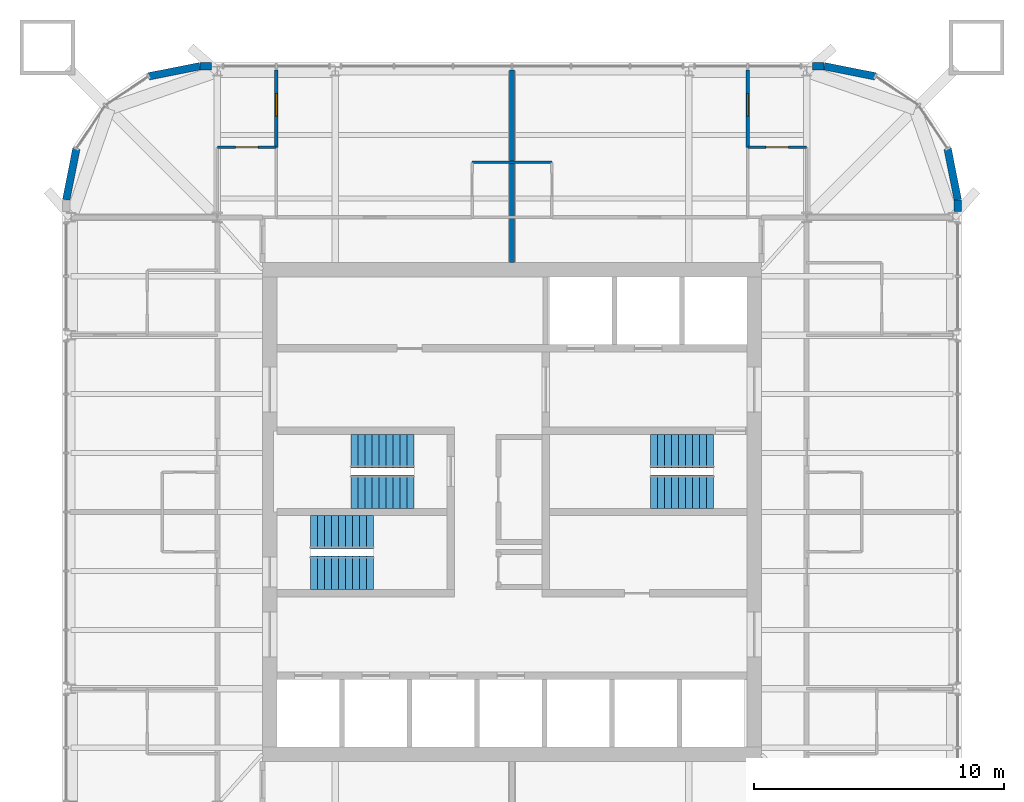
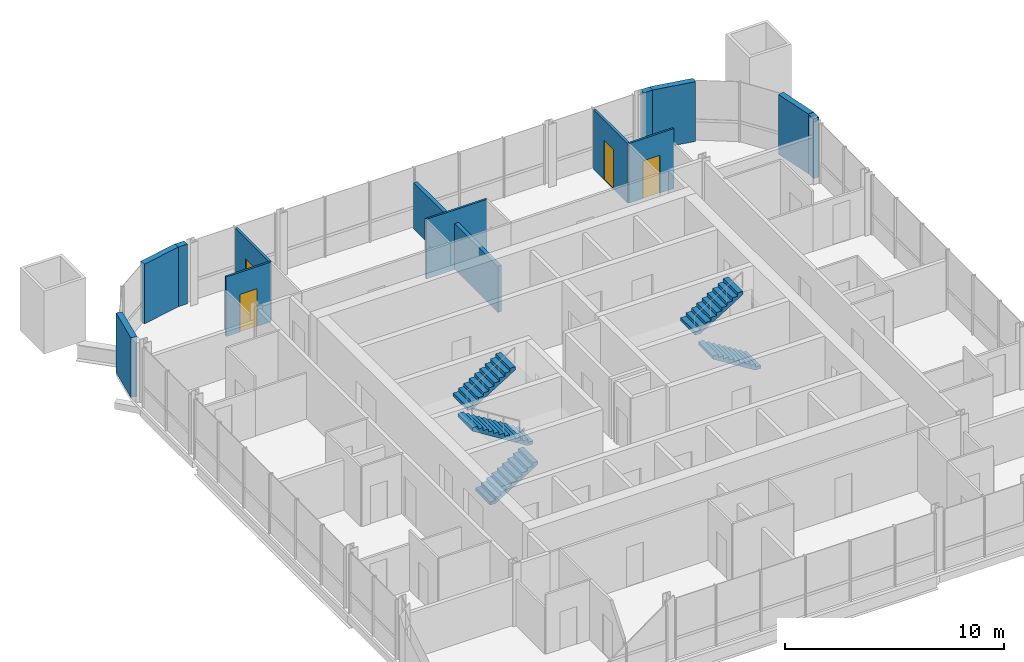
# One storey, part 11 of 12: 13 walls, 6 stair flights, 4 doors, 4 openings, 3 elements without a shape of their own.
"""IFC4 building model written with IfcOpenShell, lengths in metres."""

from ifc_helpers import new_model, si_unit, direction, frame, frame_2d, origin, place, context, subcontext, project, spatial, polyline, rectangle, outline, extrude, material, layer, layer_set, type_object, element, fill, aggregate, save


model = new_model("IFC4")

# Units and contexts
model_context = context("Model", 3, precision=1e-05, world=origin(), true_north=direction((0.0, 1.0)))
body_context = subcontext(model_context, "Body", "Model", "MODEL_VIEW")
ifc_project = project(units=[si_unit("LENGTHUNIT", "METRE"), si_unit("AREAUNIT", "SQUARE_METRE"), si_unit("VOLUMEUNIT", "CUBIC_METRE"), si_unit("PLANEANGLEUNIT", "RADIAN"), si_unit("MASSUNIT", "GRAM", prefix="KILO")], contexts=[model_context])

# Site, building, storey
site_placement = place(None, origin())
site = spatial("IfcSite", under=ifc_project, at=site_placement, CompositionType="ELEMENT")
building_placement = place(site_placement, origin())
building = spatial("IfcBuilding", under=site, at=building_placement, Name="Turquesa Mirador Hotel Tower", CompositionType="ELEMENT")
storey_placement = place(building_placement, frame((0.0, 0.0, 233.699951171875)))
storey = spatial("IfcBuildingStorey", under=building, at=storey_placement, Name="L63", CompositionType="ELEMENT", Elevation=233.699951171875)

# Wall
ifc_material_1 = material(Name="Gypsum board on steel studs", Category="steel")
ifc_layer_1 = layer(ifc_material_1, 0.10009765625)
ifc_layer_set_1 = layer_set([ifc_layer_1], Name="BATHROOM WALL 100")
wall_type_1 = type_object("IfcWallType", Name="BATHROOM WALL 100", PredefinedType="PARTITIONING", material=ifc_layer_set_1)
wall_1_placement = place(storey_placement, frame((53.39990234375, 59.0, 0.0), z_axis=(0.0, 0.0, 1.0), x_axis=(1.0, 0.0, 0.0)))
element("IfcWall", 1, at=wall_1_placement, inside=storey, type_object=wall_type_1, Name="Partition L63 034", PredefinedType="PARTITIONING", context=body_context, shape_type="SweptSolid", body=[
    extrude(rectangle(XDim=3.2001953125, YDim=0.10009765625, at=frame_2d((1.60009765625, 0.0))), origin(), (0.0, 0.0, 1.0), 3.330078125),
])

# Wall, opening, door
wall_2_placement = place(storey_placement, frame((43.199951171875, 59.60009765625, 0.0), z_axis=(0.0, 0.0, 1.0), x_axis=(1.0, 0.0, 0.0)))
wall_2 = element("IfcWall", 2, at=wall_2_placement, inside=storey, type_object=wall_type_1, Name="Partition L63 035", PredefinedType="PARTITIONING", context=body_context, shape_type="SweptSolid", body=[
    extrude(rectangle(XDim=2.360107421875, YDim=0.10009765625, at=frame_2d((1.18017578125, 0.0))), origin(), (0.0, 0.0, 1.0), 3.330078125),
])
opening_1_placement = place(wall_2_placement, frame((0.72998046875, 0.0, 0.0)))
opening_1 = element("IfcOpeningElement", 3, at=opening_1_placement, cuts=wall_2, Name="Opening D02", PredefinedType="OPENING", context=body_context, shape_type="SweptSolid", body=[
    extrude(rectangle(XDim=0.89990234375, YDim=2.10009765625, at=frame_2d((0.449951171875, 1.050048828125))), frame((0.0, 0.06005859375, 0.0), z_axis=(0.0, -1.0, 0.0), x_axis=(1.0, 0.0, 0.0)), (0.0, 0.0, 1.0), 0.1201171875),
])
ifc_material_2 = material(Name="Timber veneered door", Category="wood")
door_type_1 = type_object("IfcDoorType", Name="DOOR 900X2100 EN-SUITE", OperationType="SINGLE_SWING_RIGHT", PredefinedType="DOOR", material=ifc_material_2)
door_1_placement = place(opening_1_placement, origin())
door_1 = element("IfcDoor", 4, at=door_1_placement, inside=storey, type_object=door_type_1, Name="Door 6301B", OperationType="SINGLE_SWING_RIGHT", OverallHeight=2.10009765625, OverallWidth=0.89990234375, PredefinedType="DOOR", context=body_context, shape_type="SweptSolid", body=[
    extrude(rectangle(XDim=0.89990234375, YDim=2.10009765625, at=frame_2d((0.449951171875, 1.050048828125))), frame((0.0, 0.02490234375, 0.0), z_axis=(0.0, -1.0, 0.0), x_axis=(1.0, 0.0, 0.0)), (0.0, 0.0, 1.0), 0.050048828125),
])
fill(opening_1, door_1)

wall_3_placement = place(storey_placement, frame((64.43994140625, 59.60009765625, 0.0), z_axis=(0.0, 0.0, 1.0), x_axis=(1.0, 0.0, 0.0)))
wall_3 = element("IfcWall", 5, at=wall_3_placement, inside=storey, type_object=wall_type_1, Name="Partition L63 036", PredefinedType="PARTITIONING", context=body_context, shape_type="SweptSolid", body=[
    extrude(rectangle(XDim=2.360107421875, YDim=0.10009765625, at=frame_2d((1.18017578125, 0.0))), origin(), (0.0, 0.0, 1.0), 3.330078125),
])
opening_2_placement = place(wall_3_placement, frame((0.72998046875, 0.0, 0.0)))
opening_2 = element("IfcOpeningElement", 6, at=opening_2_placement, cuts=wall_3, Name="Opening D02", PredefinedType="OPENING", context=body_context, shape_type="SweptSolid", body=[
    extrude(rectangle(XDim=0.89990234375, YDim=2.10009765625, at=frame_2d((0.449951171875, 1.050048828125))), frame((0.0, 0.06005859375, 0.0), z_axis=(0.0, -1.0, 0.0), x_axis=(1.0, 0.0, 0.0)), (0.0, 0.0, 1.0), 0.1201171875),
])
door_2_placement = place(opening_2_placement, origin())
door_2 = element("IfcDoor", 7, at=door_2_placement, inside=storey, type_object=door_type_1, Name="Door 6302B", OperationType="SINGLE_SWING_RIGHT", OverallHeight=2.10009765625, OverallWidth=0.89990234375, PredefinedType="DOOR", context=body_context, shape_type="SweptSolid", body=[
    extrude(rectangle(XDim=0.89990234375, YDim=2.10009765625, at=frame_2d((0.449951171875, 1.050048828125))), frame((0.0, 0.02490234375, 0.0), z_axis=(0.0, -1.0, 0.0), x_axis=(1.0, 0.0, 0.0)), (0.0, 0.0, 1.0), 0.050048828125),
])
fill(opening_2, door_2)

# Walls
ifc_material_3 = material(Name="Limestone cladding on concrete block", Category="masonry")
ifc_layer_2 = layer(ifc_material_3, 0.300048828125)
ifc_layer_set_2 = layer_set([ifc_layer_2], Name="FACADE WALL 300 STONE PIER")
wall_type_2 = type_object("IfcWallType", Name="FACADE WALL 300 STONE PIER", PredefinedType="SOLIDWALL", material=ifc_layer_set_2)
wall_4_placement = place(storey_placement, frame((72.85009765625, 57.033935546875, 0.0), z_axis=(0.0, 0.0, 1.0), x_axis=(0.0, 1.0, 0.0)))
element("IfcWall", 8, at=wall_4_placement, inside=storey, type_object=wall_type_2, Name="Facade wall L63 bay CWS-L63-01d 00", PredefinedType="SOLIDWALL", context=body_context, shape_type="SweptSolid", body=[
    extrude(rectangle(XDim=0.466064453125, YDim=0.300048828125, at=frame_2d((0.23291015625, 0.0))), origin(), (0.0, 0.0, 1.0), 3.330078125),
])
for number, where, z_axis, x_axis, name in (
    (9, (72.85009765625, 57.5, 0.0), (0.0, 0.0, 1.0), (-0.195081421501, 0.980787050784, 0.0), "Facade wall L63 bay CWS-L63-02 00"),
    (10, (69.54736328125, 62.44287109375, 0.0), (0.0, 0.0, 1.0), (-0.980787050784, 0.195081421501, 0.0), "Facade wall L63 bay CWS-L63-02 03"),
):
    element("IfcWall", number, at=place(storey_placement, frame(where, z_axis=z_axis, x_axis=x_axis)), inside=storey, type_object=wall_type_2, Name=name, PredefinedType="SOLIDWALL", context=body_context, shape_type="SweptSolid", body=[
        extrude(rectangle(XDim=2.08740234375, YDim=0.300048828125, at=frame_2d((1.043701171875, 0.0))), origin(), (0.0, 0.0, 1.0), 3.330078125),
    ])
for number, where, z_axis, x_axis, name in (
    (11, (67.5, 62.85009765625, 0.0), (0.0, 0.0, 1.0), (-1.0, 0.0, 0.0), "Facade wall L63 bay CWS-L63-03 00"),
    (12, (42.966064453125, 62.85009765625, 0.0), (0.0, 0.0, 1.0), (-1.0, 0.0, 0.0), "Facade wall L63 bay CWS-L63-03d 00"),
):
    element("IfcWall", number, at=place(storey_placement, frame(where, z_axis=z_axis, x_axis=x_axis)), inside=storey, type_object=wall_type_2, Name=name, PredefinedType="SOLIDWALL", context=body_context, shape_type="SweptSolid", body=[
        extrude(rectangle(XDim=0.466064453125, YDim=0.300048828125, at=frame_2d((0.23291015625, 0.0))), origin(), (0.0, 0.0, 1.0), 3.330078125),
    ])
for number, where, z_axis, x_axis, name in (
    (13, (42.5, 62.85009765625, 0.0), (0.0, 0.0, 1.0), (-0.980787050784, -0.195081421501, 0.0), "Facade wall L63 bay CWS-L63-04 00"),
    (14, (37.55712890625, 59.54736328125, 0.0), (0.0, 0.0, 1.0), (-0.195081421501, -0.980787050784, 0.0), "Facade wall L63 bay CWS-L63-04 03"),
):
    element("IfcWall", number, at=place(storey_placement, frame(where, z_axis=z_axis, x_axis=x_axis)), inside=storey, type_object=wall_type_2, Name=name, PredefinedType="SOLIDWALL", context=body_context, shape_type="SweptSolid", body=[
        extrude(rectangle(XDim=2.08740234375, YDim=0.300048828125, at=frame_2d((1.043701171875, 0.0))), origin(), (0.0, 0.0, 1.0), 3.330078125),
    ])
ifc_material_4 = material(Name="Fire-rated gypsum board on steel studs", Category="steel")
ifc_layer_3 = layer(ifc_material_4, 0.199951171875)
ifc_layer_set_3 = layer_set([ifc_layer_3], Name="PARTY WALL 200")
wall_type_3 = type_object("IfcWallType", Name="PARTY WALL 200", PredefinedType="PARTITIONING", material=ifc_layer_set_3)
wall_5_placement = place(storey_placement, frame((55.0, 55.0, 0.0), z_axis=(0.0, 0.0, 1.0), x_axis=(0.0, 1.0, 0.0)))
element("IfcWall", 15, at=wall_5_placement, inside=storey, type_object=wall_type_3, Name="Partition L63 058", PredefinedType="PARTITIONING", context=body_context, shape_type="SweptSolid", body=[
    extrude(rectangle(XDim=7.699951171875, YDim=0.199951171875, at=frame_2d((3.85009765625, 0.0))), origin(), (0.0, 0.0, 1.0), 2.5732421875),
])

# Wall, opening, door
ifc_material_5 = material(Name="Acoustic gypsum board on steel studs", Category="steel")
ifc_layer_4 = layer(ifc_material_5, 0.125)
ifc_layer_set_4 = layer_set([ifc_layer_4], Name="SUITE PARTITION 125")
wall_type_4 = type_object("IfcWallType", Name="SUITE PARTITION 125", PredefinedType="PARTITIONING", material=ifc_layer_set_4)
wall_6_placement = place(storey_placement, frame((45.56005859375, 59.60009765625, 0.0), z_axis=(0.0, 0.0, 1.0), x_axis=(0.0, 1.0, 0.0)))
wall_6 = element("IfcWall", 16, at=wall_6_placement, inside=storey, type_object=wall_type_4, Name="Partition L63 056", PredefinedType="PARTITIONING", context=body_context, shape_type="SweptSolid", body=[
    extrude(rectangle(XDim=3.099853515625, YDim=0.125, at=frame_2d((1.5498046875, 0.0))), origin(), (0.0, 0.0, 1.0), 3.330078125),
])
opening_3_placement = place(wall_6_placement, frame((1.25, 0.0, 0.0)))
opening_3 = element("IfcOpeningElement", 17, at=opening_3_placement, cuts=wall_6, Name="Opening D17", PredefinedType="OPENING", context=body_context, shape_type="SweptSolid", body=[
    extrude(rectangle(XDim=0.89990234375, YDim=2.199951171875, at=frame_2d((0.449951171875, 1.10009765625))), frame((0.0, 0.072509765625, 0.0), z_axis=(0.0, -1.0, 0.0), x_axis=(1.0, 0.0, 0.0)), (0.0, 0.0, 1.0), 0.14501953125),
])
ifc_material_6 = material(Name="Timber veneered door", Category="wood")
door_type_2 = type_object("IfcDoorType", Name="DOOR 900X2200 SUITE INTERNAL", OperationType="SINGLE_SWING_LEFT", PredefinedType="DOOR", material=ifc_material_6)
door_3_placement = place(opening_3_placement, origin())
door_3 = element("IfcDoor", 18, at=door_3_placement, inside=storey, type_object=door_type_2, Name="Door 6301R", OperationType="SINGLE_SWING_LEFT", OverallHeight=2.199951171875, OverallWidth=0.89990234375, PredefinedType="DOOR", context=body_context, shape_type="SweptSolid", body=[
    extrude(rectangle(XDim=0.89990234375, YDim=2.199951171875, at=frame_2d((0.449951171875, 1.10009765625))), frame((0.0, 0.02490234375, 0.0), z_axis=(0.0, -1.0, 0.0), x_axis=(1.0, 0.0, 0.0)), (0.0, 0.0, 1.0), 0.050048828125),
])
fill(opening_3, door_3)

wall_7_placement = place(storey_placement, frame((64.43994140625, 59.60009765625, 0.0), z_axis=(0.0, 0.0, 1.0), x_axis=(0.0, 1.0, 0.0)))
wall_7 = element("IfcWall", 19, at=wall_7_placement, inside=storey, type_object=wall_type_4, Name="Partition L63 072", PredefinedType="PARTITIONING", context=body_context, shape_type="SweptSolid", body=[
    extrude(rectangle(XDim=3.099853515625, YDim=0.125, at=frame_2d((1.5498046875, 0.0))), origin(), (0.0, 0.0, 1.0), 3.330078125),
])
opening_4_placement = place(wall_7_placement, frame((1.25, 0.0, 0.0)))
opening_4 = element("IfcOpeningElement", 20, at=opening_4_placement, cuts=wall_7, Name="Opening D17", PredefinedType="OPENING", context=body_context, shape_type="SweptSolid", body=[
    extrude(rectangle(XDim=0.89990234375, YDim=2.199951171875, at=frame_2d((0.449951171875, 1.10009765625))), frame((0.0, 0.072509765625, 0.0), z_axis=(0.0, -1.0, 0.0), x_axis=(1.0, 0.0, 0.0)), (0.0, 0.0, 1.0), 0.14501953125),
])
door_4_placement = place(opening_4_placement, origin())
door_4 = element("IfcDoor", 21, at=door_4_placement, inside=storey, type_object=door_type_2, Name="Door 6302R", OperationType="SINGLE_SWING_LEFT", OverallHeight=2.199951171875, OverallWidth=0.89990234375, PredefinedType="DOOR", context=body_context, shape_type="SweptSolid", body=[
    extrude(rectangle(XDim=0.89990234375, YDim=2.199951171875, at=frame_2d((0.449951171875, 1.10009765625))), frame((0.0, 0.02490234375, 0.0), z_axis=(0.0, -1.0, 0.0), x_axis=(1.0, 0.0, 0.0)), (0.0, 0.0, 1.0), 0.050048828125),
])
fill(opening_4, door_4)

# Stair, stair flights
ifc_material_7 = material(Name="Concrete C35/45", Category="concrete")
stair_type = type_object("IfcStairType", Name="ESCAPE STAIR CORE", PredefinedType="HALF_TURN_STAIR", material=ifc_material_7)
stair_1_placement = place(storey_placement, origin())
stair_1 = element("IfcStair", 22, at=stair_1_placement, inside=storey, type_object=stair_type, Name="Stair ST1 L63 to L64", PredefinedType="HALF_TURN_STAIR")
ifc_material_8 = material(Name="Concrete C35/45 precast flight", Category="concrete")
stair_flight_type = type_object("IfcStairFlightType", Name="STAIR FLIGHT 1330", PredefinedType="STRAIGHT", material=ifc_material_8)
stair_flight_1_placement = place(storey_placement, frame((51.070068359375, 45.81494140625, 0.0), z_axis=(0.0, 0.0, 1.0), x_axis=(-1.0, 0.0, 0.0)))
stair_flight_1 = element("IfcStairFlight", 23, at=stair_flight_1_placement, type_object=stair_flight_type, Name="ST1 flight 1", NumberOfRisers=10, NumberOfTreads=9, PredefinedType="STRAIGHT", RiserHeight=0.175, TreadLength=0.28, context=body_context, shape_type="SweptSolid", body=[
    extrude(outline(polyline([(0.0, 0.0), (0.0, 0.175048828125), (0.280029296875, 0.175048828125), (0.280029296875, 0.35009765625), (0.56005859375, 0.35009765625), (0.56005859375, 0.52490234375), (0.840087890625, 0.52490234375), (0.840087890625, 0.699951171875), (1.1201171875, 0.699951171875), (1.1201171875, 0.875), (1.39990234375, 0.875), (1.39990234375, 1.050048828125), (1.679931640625, 1.050048828125), (1.679931640625, 1.22509765625), (1.9599609375, 1.22509765625), (1.9599609375, 1.39990234375), (2.239990234375, 1.39990234375), (2.239990234375, 1.574951171875), (2.52001953125, 1.574951171875), (2.52001953125, 1.75), (2.52001953125, 1.398193359375), (0.28271484375, 0.0), (0.0, 0.0)])), frame((0.0, 0.6650390625, 0.0), z_axis=(0.0, -1.0, 0.0), x_axis=(1.0, 0.0, 0.0)), (0.0, 0.0, 1.0), 1.330078125),
])
stair_flight_2_placement = place(storey_placement, frame((48.550048828125, 47.43505859375, 1.75), z_axis=(0.0, 0.0, 1.0), x_axis=(1.0, 0.0, 0.0)))
stair_flight_2 = element("IfcStairFlight", 24, at=stair_flight_2_placement, type_object=stair_flight_type, Name="ST1 flight 2", NumberOfRisers=10, NumberOfTreads=9, PredefinedType="STRAIGHT", RiserHeight=0.175, TreadLength=0.28, context=body_context, shape_type="SweptSolid", body=[
    extrude(outline(polyline([(0.0, 0.0), (0.0, 0.175048828125), (0.280029296875, 0.175048828125), (0.280029296875, 0.35009765625), (0.56005859375, 0.35009765625), (0.56005859375, 0.52490234375), (0.840087890625, 0.52490234375), (0.840087890625, 0.699951171875), (1.1201171875, 0.699951171875), (1.1201171875, 0.875), (1.39990234375, 0.875), (1.39990234375, 1.050048828125), (1.679931640625, 1.050048828125), (1.679931640625, 1.22509765625), (1.9599609375, 1.22509765625), (1.9599609375, 1.39990234375), (2.239990234375, 1.39990234375), (2.239990234375, 1.574951171875), (2.52001953125, 1.574951171875), (2.52001953125, 1.75), (2.52001953125, 1.398193359375), (0.28271484375, 0.0), (0.0, 0.0)])), frame((0.0, 0.6650390625, 0.0), z_axis=(0.0, -1.0, 0.0), x_axis=(1.0, 0.0, 0.0)), (0.0, 0.0, 1.0), 1.330078125),
])
aggregate(stair_1, [stair_flight_1, stair_flight_2])

stair_2_placement = place(storey_placement, origin())
stair_2 = element("IfcStair", 25, at=stair_2_placement, inside=storey, type_object=stair_type, Name="Stair ST2 L63 to L64", PredefinedType="HALF_TURN_STAIR")
stair_flight_3_placement = place(storey_placement, frame((46.929931640625, 42.56494140625, 0.0), z_axis=(0.0, 0.0, 1.0), x_axis=(1.0, 0.0, 0.0)))
stair_flight_3 = element("IfcStairFlight", 26, at=stair_flight_3_placement, type_object=stair_flight_type, Name="ST2 flight 1", NumberOfRisers=10, NumberOfTreads=9, PredefinedType="STRAIGHT", RiserHeight=0.175, TreadLength=0.28, context=body_context, shape_type="SweptSolid", body=[
    extrude(outline(polyline([(0.0, 0.0), (0.0, 0.175048828125), (0.280029296875, 0.175048828125), (0.280029296875, 0.35009765625), (0.56005859375, 0.35009765625), (0.56005859375, 0.52490234375), (0.840087890625, 0.52490234375), (0.840087890625, 0.699951171875), (1.1201171875, 0.699951171875), (1.1201171875, 0.875), (1.39990234375, 0.875), (1.39990234375, 1.050048828125), (1.679931640625, 1.050048828125), (1.679931640625, 1.22509765625), (1.9599609375, 1.22509765625), (1.9599609375, 1.39990234375), (2.239990234375, 1.39990234375), (2.239990234375, 1.574951171875), (2.52001953125, 1.574951171875), (2.52001953125, 1.75), (2.52001953125, 1.398193359375), (0.28271484375, 0.0), (0.0, 0.0)])), frame((0.0, 0.6650390625, 0.0), z_axis=(0.0, -1.0, 0.0), x_axis=(1.0, 0.0, 0.0)), (0.0, 0.0, 1.0), 1.330078125),
])
stair_flight_4_placement = place(storey_placement, frame((49.449951171875, 44.18505859375, 1.75), z_axis=(0.0, 0.0, 1.0), x_axis=(-1.0, 0.0, 0.0)))
stair_flight_4 = element("IfcStairFlight", 27, at=stair_flight_4_placement, type_object=stair_flight_type, Name="ST2 flight 2", NumberOfRisers=10, NumberOfTreads=9, PredefinedType="STRAIGHT", RiserHeight=0.175, TreadLength=0.28, context=body_context, shape_type="SweptSolid", body=[
    extrude(outline(polyline([(0.0, 0.0), (0.0, 0.175048828125), (0.280029296875, 0.175048828125), (0.280029296875, 0.35009765625), (0.56005859375, 0.35009765625), (0.56005859375, 0.52490234375), (0.840087890625, 0.52490234375), (0.840087890625, 0.699951171875), (1.1201171875, 0.699951171875), (1.1201171875, 0.875), (1.39990234375, 0.875), (1.39990234375, 1.050048828125), (1.679931640625, 1.050048828125), (1.679931640625, 1.22509765625), (1.9599609375, 1.22509765625), (1.9599609375, 1.39990234375), (2.239990234375, 1.39990234375), (2.239990234375, 1.574951171875), (2.52001953125, 1.574951171875), (2.52001953125, 1.75), (2.52001953125, 1.398193359375), (0.28271484375, 0.0), (0.0, 0.0)])), frame((0.0, 0.6650390625, 0.0), z_axis=(0.0, -1.0, 0.0), x_axis=(1.0, 0.0, 0.0)), (0.0, 0.0, 1.0), 1.330078125),
])
aggregate(stair_2, [stair_flight_3, stair_flight_4])

stair_3_placement = place(storey_placement, origin())
stair_3 = element("IfcStair", 28, at=stair_3_placement, inside=storey, type_object=stair_type, Name="Stair ST3 L63 to L64", PredefinedType="HALF_TURN_STAIR")
stair_flight_5_placement = place(storey_placement, frame((63.070068359375, 45.81494140625, 0.0), z_axis=(0.0, 0.0, 1.0), x_axis=(-1.0, 0.0, 0.0)))
stair_flight_5 = element("IfcStairFlight", 29, at=stair_flight_5_placement, type_object=stair_flight_type, Name="ST3 flight 1", NumberOfRisers=10, NumberOfTreads=9, PredefinedType="STRAIGHT", RiserHeight=0.175, TreadLength=0.28, context=body_context, shape_type="SweptSolid", body=[
    extrude(outline(polyline([(0.0, 0.0), (0.0, 0.175048828125), (0.280029296875, 0.175048828125), (0.280029296875, 0.35009765625), (0.56005859375, 0.35009765625), (0.56005859375, 0.52490234375), (0.840087890625, 0.52490234375), (0.840087890625, 0.699951171875), (1.1201171875, 0.699951171875), (1.1201171875, 0.875), (1.39990234375, 0.875), (1.39990234375, 1.050048828125), (1.679931640625, 1.050048828125), (1.679931640625, 1.22509765625), (1.9599609375, 1.22509765625), (1.9599609375, 1.39990234375), (2.239990234375, 1.39990234375), (2.239990234375, 1.574951171875), (2.52001953125, 1.574951171875), (2.52001953125, 1.75), (2.52001953125, 1.398193359375), (0.28271484375, 0.0), (0.0, 0.0)])), frame((0.0, 0.6650390625, 0.0), z_axis=(0.0, -1.0, 0.0), x_axis=(1.0, 0.0, 0.0)), (0.0, 0.0, 1.0), 1.330078125),
])
stair_flight_6_placement = place(storey_placement, frame((60.550048828125, 47.43505859375, 1.75), z_axis=(0.0, 0.0, 1.0), x_axis=(1.0, 0.0, 0.0)))
stair_flight_6 = element("IfcStairFlight", 30, at=stair_flight_6_placement, type_object=stair_flight_type, Name="ST3 flight 2", NumberOfRisers=10, NumberOfTreads=9, PredefinedType="STRAIGHT", RiserHeight=0.175, TreadLength=0.28, context=body_context, shape_type="SweptSolid", body=[
    extrude(outline(polyline([(0.0, 0.0), (0.0, 0.175048828125), (0.280029296875, 0.175048828125), (0.280029296875, 0.35009765625), (0.56005859375, 0.35009765625), (0.56005859375, 0.52490234375), (0.840087890625, 0.52490234375), (0.840087890625, 0.699951171875), (1.1201171875, 0.699951171875), (1.1201171875, 0.875), (1.39990234375, 0.875), (1.39990234375, 1.050048828125), (1.679931640625, 1.050048828125), (1.679931640625, 1.22509765625), (1.9599609375, 1.22509765625), (1.9599609375, 1.39990234375), (2.239990234375, 1.39990234375), (2.239990234375, 1.574951171875), (2.52001953125, 1.574951171875), (2.52001953125, 1.75), (2.52001953125, 1.398193359375), (0.28271484375, 0.0), (0.0, 0.0)])), frame((0.0, 0.6650390625, 0.0), z_axis=(0.0, -1.0, 0.0), x_axis=(1.0, 0.0, 0.0)), (0.0, 0.0, 1.0), 1.330078125),
])
aggregate(stair_3, [stair_flight_5, stair_flight_6])

save(model, "model.ifc")
